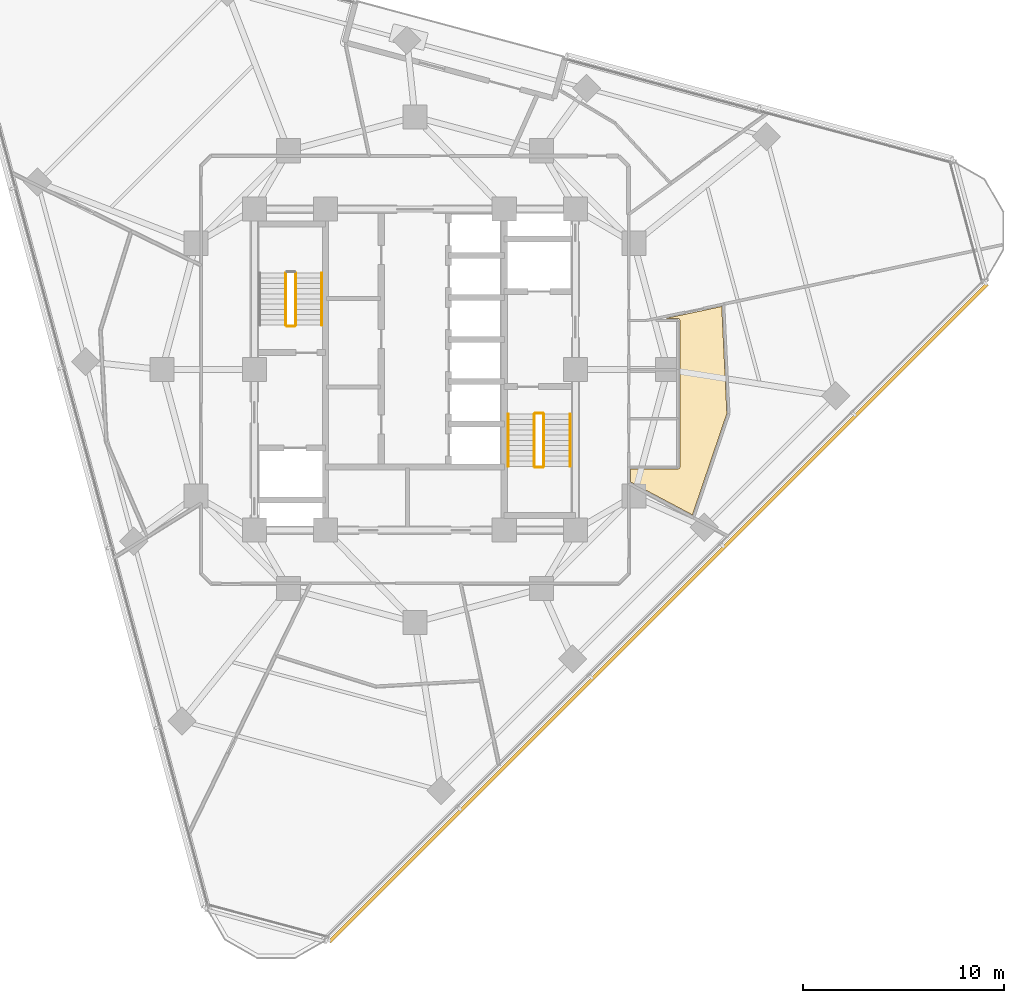
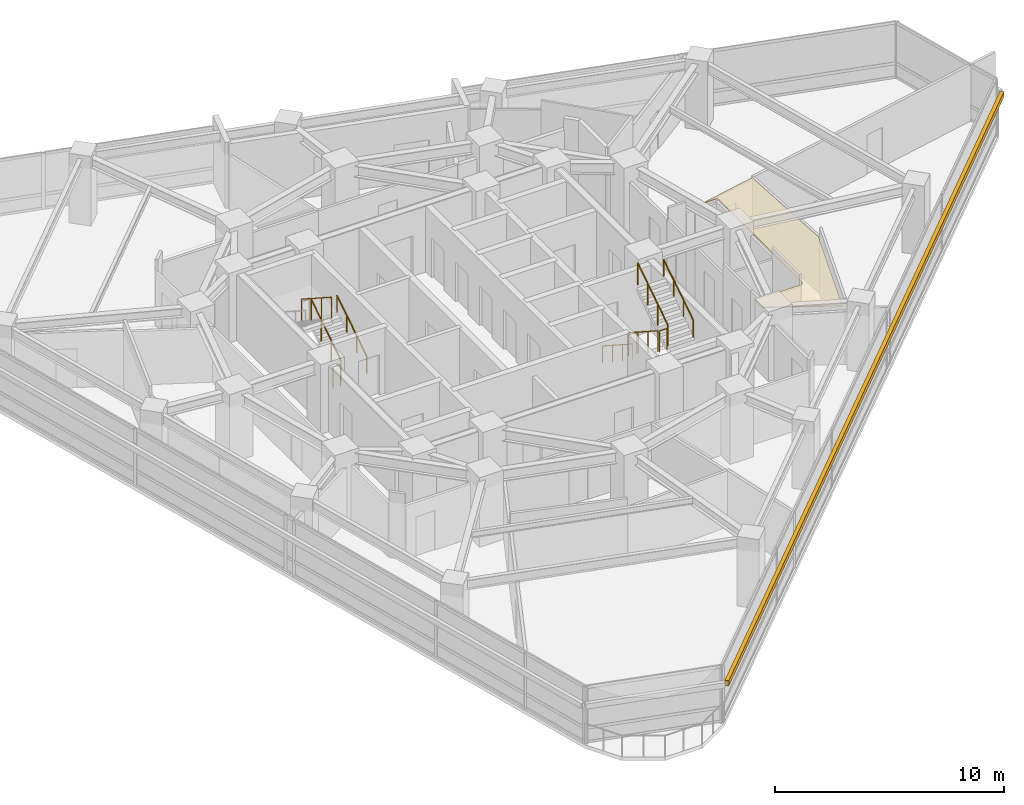
# One storey, part 12 of 14: 10 railings, 1 covering, 1 shading device.
"""IFC4 building model written with IfcOpenShell, lengths in metres."""

import ifcopenshell
import ifcopenshell.guid

model = None  # the IFC model being written
_history = None  # IfcOwnerHistory: only IFC2X3 demands one
_inside = {}  # id of a spatial element -> (the spatial element, [elements in it])
_under = {}  # id of a project, library or spatial element -> (it, [spatial elements below it])
_declared = {}  # id of a project -> (the project, [libraries it declares])
_typed = {}  # id of a type object -> (the type object, [elements of that type])
_made_of = {}  # id of a material, layer set ... -> (it, [elements and type objects made of it])


def new_model(schema):
    """Start an empty IFC model of exactly this schema.

    Asked for "IFC4X3", IfcOpenShell would pick the latest addendum, in which some entities
    have other attributes; the version numbers below select the first issue.
    IFC2X3 requires an IfcOwnerHistory on every rooted entity: one is made here for all.
    """
    global model, _history
    if schema == "IFC4X3":
        model = ifcopenshell.file(schema_version=(4, 3, 0, 0))
    else:
        model = ifcopenshell.file(schema=schema)
    _inside.clear()
    _under.clear()
    _declared.clear()
    _typed.clear()
    _made_of.clear()
    _history = None
    if model.schema == "IFC2X3":
        org = make("IfcOrganization", Name="unknown")
        user = make(
            "IfcPersonAndOrganization",
            ThePerson=make("IfcPerson", FamilyName="unknown"),
            TheOrganization=org,
        )
        app = make(
            "IfcApplication",
            ApplicationDeveloper=org,
            Version="unknown",
            ApplicationFullName="unknown",
            ApplicationIdentifier="unknown",
        )
        _history = make(
            "IfcOwnerHistory",
            OwningUser=user,
            OwningApplication=app,
            ChangeAction="ADDED",
            CreationDate=0,
        )
    return model


def make(cls, **values):
    """One entity of the class cls with the attributes given. An attribute that is None is left unset."""
    return model.create_entity(
        cls, **{name: value for name, value in values.items() if value is not None}
    )


def rooted(cls, **values):
    """An entity with a GlobalId (a new one), such as an element, a storey or a relation."""
    return make(cls, GlobalId=ifcopenshell.guid.new(), OwnerHistory=_history, **values)


def si_unit(unit_type, name, prefix=None):
    """IfcSIUnit, for example si_unit("LENGTHUNIT", "METRE", prefix="MILLI")."""
    return make("IfcSIUnit", UnitType=unit_type, Prefix=prefix, Name=name)


def assignment(units):
    """IfcUnitAssignment: the units of a project."""
    return None if units is None else make("IfcUnitAssignment", Units=units)


def point(xyz):
    """IfcCartesianPoint."""
    return None if xyz is None else make("IfcCartesianPoint", Coordinates=xyz)


def direction(xyz):
    """IfcDirection."""
    return None if xyz is None else make("IfcDirection", DirectionRatios=xyz)


def frame(location, z_axis=None, x_axis=None):
    """IfcAxis2Placement3D, a coordinate frame: its origin and axes. An axis left out is left unset."""
    return make(
        "IfcAxis2Placement3D",
        Location=point(location),
        Axis=direction(z_axis),
        RefDirection=direction(x_axis),
    )


def frame_2d(location, x_axis=None):
    """IfcAxis2Placement2D, a coordinate frame in the plane: its origin and x axis."""
    return make(
        "IfcAxis2Placement2D", Location=point(location), RefDirection=direction(x_axis)
    )


def origin():
    """The frame at (0, 0, 0) with its axes left unset."""
    return frame((0.0, 0.0, 0.0))


def origin_2d():
    """The frame at (0, 0) in the plane with its x axis left unset."""
    return frame_2d((0.0, 0.0))


def place(relative_to, where):
    """IfcLocalPlacement: puts the frame where relative to a parent placement (None: the world)."""
    return make(
        "IfcLocalPlacement", PlacementRelTo=relative_to, RelativePlacement=where
    )


def context(
    kind, dimensions, precision=None, world=None, true_north=None, identifier=None
):
    """IfcGeometricRepresentationContext, for example the 3D "Model" context."""
    return make(
        "IfcGeometricRepresentationContext",
        ContextIdentifier=identifier,
        ContextType=kind,
        CoordinateSpaceDimension=dimensions,
        Precision=precision,
        WorldCoordinateSystem=world,
        TrueNorth=true_north,
    )


def subcontext(parent, identifier, kind, view, scale=None):
    """IfcGeometricRepresentationSubContext, for example "Body" below "Model"."""
    return make(
        "IfcGeometricRepresentationSubContext",
        ContextIdentifier=identifier,
        ContextType=kind,
        ParentContext=parent,
        TargetScale=scale,
        TargetView=view,
    )


def project(units=None, contexts=None):
    """IfcProject with its units and contexts."""
    return rooted(
        "IfcProject",
        Name="project",
        RepresentationContexts=contexts,
        UnitsInContext=assignment(units),
    )


def spatial(cls, under=None, at=None, **own):
    """A site, building, storey or space (cls), placed at a placement, below another one or the project."""
    s = rooted(cls, ObjectPlacement=at, **own)
    if under is not None:
        _under.setdefault(under.id(), (under, []))[1].append(s)
    return s


def polyline(points):
    """IfcPolyline through the points."""
    return make("IfcPolyline", Points=[point(p) for p in points])


def profile(cls, at=None, kind="AREA", **sizes):
    """A parametric profile (cls). Its sizes go by their IFC names, for example OverallWidth=200.0."""
    return make(cls, ProfileType=kind, Position=at, **sizes)


def rectangle(**sizes):
    """IfcRectangleProfileDef."""
    return profile("IfcRectangleProfileDef", **sizes)


def circle(**sizes):
    """IfcCircleProfileDef."""
    return profile("IfcCircleProfileDef", **sizes)


def outline(outer, holes=None, kind="AREA"):
    """IfcArbitraryClosedProfileDef: a profile drawn as a closed curve; with holes, ...WithVoids."""
    if holes is None:
        return make("IfcArbitraryClosedProfileDef", ProfileType=kind, OuterCurve=outer)
    return make(
        "IfcArbitraryProfileDefWithVoids",
        ProfileType=kind,
        OuterCurve=outer,
        InnerCurves=holes,
    )


def extrude(swept, where, along, depth):
    """IfcExtrudedAreaSolid: the profile swept, set in the frame where, extruded along a direction by depth."""
    return make(
        "IfcExtrudedAreaSolid",
        SweptArea=swept,
        Position=where,
        ExtrudedDirection=direction(along),
        Depth=depth,
    )


def shape(context_of_items, identifier, shape_type, items):
    """IfcShapeRepresentation: the items that make up one representation, for example the "Body"."""
    return make(
        "IfcShapeRepresentation",
        ContextOfItems=context_of_items,
        RepresentationIdentifier=identifier,
        RepresentationType=shape_type,
        Items=items,
    )


def material(Name=None, Category=None):
    """IfcMaterial."""
    return make("IfcMaterial", Name=Name, Category=Category)


def layer(
    of_material, thickness, ventilated=None, Name=None, Category=None, Priority=None
):
    """IfcMaterialLayer: one layer of a wall or slab, of a material (None: an air gap)."""
    return make(
        "IfcMaterialLayer",
        Material=of_material,
        LayerThickness=thickness,
        IsVentilated=ventilated,
        Name=Name,
        Category=Category,
        Priority=Priority,
    )


def layer_set(layers, Name=None):
    """IfcMaterialLayerSet."""
    return make("IfcMaterialLayerSet", MaterialLayers=layers, LayerSetName=Name)


def made_of(thing, what):
    """Note that an element or type object is made of a material, layer set ...; save() writes the relation."""
    if what is not None:
        _made_of.setdefault(what.id(), (what, []))[1].append(thing)
    return thing


def type_object(cls, material=None, **own):
    """A type object (cls), such as IfcWallType, which elements share."""
    return made_of(rooted(cls, **own), material)


def element(
    cls,
    number,
    at=None,
    inside=None,
    cuts=None,
    type_object=None,
    material=None,
    context=None,
    identifier="Body",
    shape_type=None,
    held_by="IfcProductDefinitionShape",
    body=None,
    shapes=None,
    **own,
):
    """One element of the class cls, such as IfcWall. Its Tag is "e" and its number.

    at: its placement. inside: the storey or other place that contains it. cuts: it is an
    opening in that element (IfcRelVoidsElement). A single representation is given by context,
    identifier, shape_type and body (its items); several are given by shapes. held_by: the class
    of the entity that holds the representations. save() writes the other relations.
    """
    e = rooted(cls, Tag="e%d" % number, ObjectPlacement=at, **own)
    if body is not None:
        shapes = [shape(context, identifier, shape_type, body)]
    if shapes is not None:
        e.Representation = make(held_by, Representations=shapes)
    if inside is not None:
        _inside.setdefault(inside.id(), (inside, []))[1].append(e)
    if cuts is not None:
        rooted(
            "IfcRelVoidsElement", RelatingBuildingElement=cuts, RelatedOpeningElement=e
        )
    if type_object is not None:
        _typed.setdefault(type_object.id(), (type_object, []))[1].append(e)
    return made_of(e, material)


def aggregate(whole, parts):
    """IfcRelAggregates: a whole, such as a stair, and the parts it consists of."""
    return rooted("IfcRelAggregates", RelatingObject=whole, RelatedObjects=parts)


def save(model, path):
    """Write the relations noted so far, then the file.

    IfcRelAggregates (storeys below a building ...), IfcRelContainedInSpatialStructure (elements
    in a storey), IfcRelDefinesByType, IfcRelAssociatesMaterial and IfcRelDeclares: one each for
    every whole, place, type object, material and project.
    """
    for whole, parts in _under.values():
        aggregate(whole, parts)
    for where, things in _inside.values():
        rooted(
            "IfcRelContainedInSpatialStructure",
            RelatedElements=things,
            RelatingStructure=where,
        )
    for kind, things in _typed.values():
        rooted("IfcRelDefinesByType", RelatedObjects=things, RelatingType=kind)
    for what, things in _made_of.values():
        rooted("IfcRelAssociatesMaterial", RelatedObjects=things, RelatingMaterial=what)
    for by, libraries in _declared.values():
        rooted("IfcRelDeclares", RelatingContext=by, RelatedDefinitions=libraries)
    model.write(path)


model = new_model("IFC4")

# Units and contexts
model_context = context("Model", 3, precision=1e-05, world=origin(), true_north=direction((0.0, 1.0)))
body_context = subcontext(model_context, "Body", "Model", "MODEL_VIEW")
ifc_project = project(units=[si_unit("LENGTHUNIT", "METRE"), si_unit("AREAUNIT", "SQUARE_METRE"), si_unit("VOLUMEUNIT", "CUBIC_METRE"), si_unit("PLANEANGLEUNIT", "RADIAN"), si_unit("MASSUNIT", "GRAM", prefix="KILO")], contexts=[model_context])

# Site, building, storey
site_placement = place(None, origin())
site = spatial("IfcSite", under=ifc_project, at=site_placement, CompositionType="ELEMENT")
building_placement = place(site_placement, origin())
building = spatial("IfcBuilding", under=site, at=building_placement, Name="Terralouvre Media Tower", CompositionType="ELEMENT")
storey_placement = place(building_placement, frame((0.0, 0.0, 191.60009765625)))
storey = spatial("IfcBuildingStorey", under=building, at=storey_placement, Name="L49", CompositionType="ELEMENT", Elevation=191.60009765625)

# Covering
ifc_material_1 = material(Name="Perforated aluminium acoustic ceiling baffle", Category="aluminium")
ifc_layer_1 = layer(ifc_material_1, 0.0400390625, Name="Perforated Acoustic Metal Tile Ceiling CL-AC1")
ifc_layer_set_1 = layer_set([ifc_layer_1], Name="Perforated aluminium acoustic ceiling baffle")
covering_type = type_object("IfcCoveringType", Name="Perforated Acoustic Metal Tile Ceiling CL-AC1", PredefinedType="CEILING", material=ifc_layer_set_1)
covering_placement = place(storey_placement, frame((0.0, 0.0, 2.97998046875), z_axis=(0.0, 0.0, 1.0), x_axis=(0.707106781187, 0.707106781187, 0.0)))
element("IfcCovering", 1, at=covering_placement, inside=storey, type_object=covering_type, Name="L49 Artist Hospitality Kitchen 6 Acoustic Ceiling", PredefinedType="CEILING", context=body_context, shape_type="SweptSolid", body=[
    extrude(outline(polyline([(9.447265625, -12.537109375), (13.037109375, -8.585693359375), (10.6259765625, -7.019775390625), (11.066162109375, -7.4599609375), (11.07275390625, -7.46728515625), (11.07861328125, -7.47509765625), (11.083740234375, -7.483642578125), (11.087890625, -7.492431640625), (11.091064453125, -7.501708984375), (11.093505859375, -7.51123046875), (11.094970703125, -7.520751953125), (11.095458984375, -7.53076171875), (11.094970703125, -7.54052734375), (11.093505859375, -7.550048828125), (11.091064453125, -7.559814453125), (11.087890625, -7.56884765625), (11.083740234375, -7.577880859375), (11.07861328125, -7.586181640625), (11.07275390625, -7.593994140625), (11.066162109375, -7.601318359375), (5.904296875, -12.76318359375), (5.89697265625, -12.769775390625), (5.88916015625, -12.775634765625), (5.880859375, -12.78076171875), (5.871826171875, -12.784912109375), (5.86279296875, -12.788330078125), (5.85302734375, -12.79052734375), (5.843505859375, -12.7919921875), (5.833740234375, -12.79248046875), (5.82373046875, -12.7919921875), (5.814208984375, -12.79052734375), (5.8046875, -12.788330078125), (5.79541015625, -12.784912109375), (5.786376953125, -12.78076171875), (5.778076171875, -12.775634765625), (5.770263671875, -12.769775390625), (5.762939453125, -12.76318359375), (4.101318359375, -11.1015625), (3.6396484375, -11.563232421875), (4.65966796875, -14.897705078125), (9.447265625, -12.537109375)])), origin(), (0.0, 0.0, 1.0), 0.0400390625),
])

# Railings
ifc_material_2 = material(Name="Stainless steel 316 handrail and balustrade", Category="steel")
ifc_layer_2 = layer(ifc_material_2, 0.050048828125, Name="Stair Flight Wall Handrail HR-INT1")
ifc_layer_set_2 = layer_set([ifc_layer_2], Name="Stainless steel 316 handrail and balustrade")
railing_type_1 = type_object("IfcRailingType", Name="Stair Flight Wall Handrail HR-INT1", PredefinedType="HANDRAIL", material=ifc_layer_set_2)
railing_1_placement = place(storey_placement, frame((-4.64990234375, 2.219970703125, 0.16796875)))
element("IfcRailing", 2, at=railing_1_placement, inside=storey, type_object=railing_type_1, Name="L49 ST-01 stair handrail 1", PredefinedType="HANDRAIL", context=body_context, shape_type="SweptSolid", body=[
    extrude(circle(Radius=0.02392578125, at=origin_2d()), frame((0.0, 0.0, 0.8759765625), z_axis=(0.0, 0.839648411786, 0.543130320075), x_axis=(-1.0, 0.0, 0.0)), (0.0, 0.0, 1.0), 3.0966796875),
    extrude(circle(Radius=0.02099609375, at=origin_2d()), origin(), (0.0, 0.0, 1.0), 0.851806640625),
    extrude(circle(Radius=0.02099609375, at=origin_2d()), frame((0.0, 0.86669921875, 0.560546875)), (0.0, 0.0, 1.0), 0.851806640625),
    extrude(circle(Radius=0.02099609375, at=origin_2d()), frame((0.0, 1.7333984375, 1.121337890625)), (0.0, 0.0, 1.0), 0.851806640625),
    extrude(circle(Radius=0.02099609375, at=origin_2d()), frame((0.0, 2.60009765625, 1.681884765625)), (0.0, 0.0, 1.0), 0.851806640625),
])
railing_2_placement = place(storey_placement, frame((4.64990234375, -2.219970703125, 0.16796875)))
element("IfcRailing", 3, at=railing_2_placement, inside=storey, type_object=railing_type_1, Name="L49 ST-02 stair handrail 1", PredefinedType="HANDRAIL", context=body_context, shape_type="SweptSolid", body=[
    extrude(circle(Radius=0.02392578125, at=origin_2d()), frame((0.0, 0.0, 0.8759765625), z_axis=(0.0, -0.839648411786, 0.543130320075), x_axis=(1.0, 0.0, 0.0)), (0.0, 0.0, 1.0), 3.0966796875),
    extrude(circle(Radius=0.02099609375, at=origin_2d()), origin(), (0.0, 0.0, 1.0), 0.851806640625),
    extrude(circle(Radius=0.02099609375, at=origin_2d()), frame((0.0, -0.86669921875, 0.560546875)), (0.0, 0.0, 1.0), 0.851806640625),
    extrude(circle(Radius=0.02099609375, at=origin_2d()), frame((0.0, -1.7333984375, 1.121337890625)), (0.0, 0.0, 1.0), 0.851806640625),
    extrude(circle(Radius=0.02099609375, at=origin_2d()), frame((0.0, -2.60009765625, 1.681884765625)), (0.0, 0.0, 1.0), 0.851806640625),
])
railing_3_placement = place(storey_placement, frame((7.72998046875, -4.820068359375, 2.01806640625)))
element("IfcRailing", 4, at=railing_3_placement, inside=storey, type_object=railing_type_1, Name="L49 ST-02 stair handrail 2", PredefinedType="HANDRAIL", context=body_context, shape_type="SweptSolid", body=[
    extrude(circle(Radius=0.02392578125, at=origin_2d()), frame((0.0, 0.0, 0.8759765625), z_axis=(0.0, 0.839648411786, 0.543130320075), x_axis=(-1.0, 0.0, 0.0)), (0.0, 0.0, 1.0), 3.0966796875),
    extrude(circle(Radius=0.02099609375, at=origin_2d()), origin(), (0.0, 0.0, 1.0), 0.851806640625),
    extrude(circle(Radius=0.02099609375, at=origin_2d()), frame((0.0, 0.86669921875, 0.560546875)), (0.0, 0.0, 1.0), 0.851806640625),
    extrude(circle(Radius=0.02099609375, at=origin_2d()), frame((0.0, 1.7333984375, 1.121337890625)), (0.0, 0.0, 1.0), 0.851806640625),
    extrude(circle(Radius=0.02099609375, at=origin_2d()), frame((0.0, 2.60009765625, 1.681884765625)), (0.0, 0.0, 1.0), 0.851806640625),
])
ifc_material_3 = material(Name="Stainless steel 316 handrail and balustrade", Category="steel")
ifc_layer_3 = layer(ifc_material_3, 0.050048828125, Name="Stairwell Safety Guardrail GR-INT1")
ifc_layer_set_3 = layer_set([ifc_layer_3], Name="Stainless steel 316 handrail and balustrade")
railing_type_2 = type_object("IfcRailingType", Name="Stairwell Safety Guardrail GR-INT1", PredefinedType="GUARDRAIL", material=ifc_layer_set_3)
railing_4_placement = place(storey_placement, frame((-5.949951171875, 2.219970703125, 0.16796875)))
element("IfcRailing", 5, at=railing_4_placement, inside=storey, type_object=railing_type_2, Name="L49 ST-01 stair guard 1", PredefinedType="GUARDRAIL", context=body_context, shape_type="SweptSolid", body=[
    extrude(circle(Radius=0.02392578125, at=origin_2d()), frame((0.0, 0.0, 1.1259765625), z_axis=(0.0, 0.839648411786, 0.543130320075), x_axis=(-1.0, 0.0, 0.0)), (0.0, 0.0, 1.0), 3.0966796875),
    extrude(circle(Radius=0.02099609375, at=origin_2d()), origin(), (0.0, 0.0, 1.0), 1.101806640625),
    extrude(circle(Radius=0.02099609375, at=origin_2d()), frame((0.0, 0.86669921875, 0.560546875)), (0.0, 0.0, 1.0), 1.101806640625),
    extrude(circle(Radius=0.02099609375, at=origin_2d()), frame((0.0, 1.7333984375, 1.121337890625)), (0.0, 0.0, 1.0), 1.101806640625),
    extrude(circle(Radius=0.02099609375, at=origin_2d()), frame((0.0, 2.60009765625, 1.681884765625)), (0.0, 0.0, 1.0), 1.101806640625),
])
railing_5_placement = place(storey_placement, frame((-6.429931640625, 4.820068359375, 2.01806640625)))
element("IfcRailing", 6, at=railing_5_placement, inside=storey, type_object=railing_type_2, Name="L49 ST-01 stair guard 3", PredefinedType="GUARDRAIL", context=body_context, shape_type="SweptSolid", body=[
    extrude(circle(Radius=0.02392578125, at=origin_2d()), frame((0.0, 0.0, 1.1259765625), z_axis=(0.0, -0.839648411786, 0.543130320075), x_axis=(1.0, 0.0, 0.0)), (0.0, 0.0, 1.0), 3.0966796875),
    extrude(circle(Radius=0.02099609375, at=origin_2d()), origin(), (0.0, 0.0, 1.0), 1.101806640625),
    extrude(circle(Radius=0.02099609375, at=origin_2d()), frame((0.0, -0.86669921875, 0.560546875)), (0.0, 0.0, 1.0), 1.101806640625),
    extrude(circle(Radius=0.02099609375, at=origin_2d()), frame((0.0, -1.7333984375, 1.121337890625)), (0.0, 0.0, 1.0), 1.101806640625),
    extrude(circle(Radius=0.02099609375, at=origin_2d()), frame((0.0, -2.60009765625, 1.681884765625)), (0.0, 0.0, 1.0), 1.101806640625),
])
railing_6_placement = place(storey_placement, frame((-6.0, 2.169921875, 0.0)))
element("IfcRailing", 7, at=railing_6_placement, inside=storey, type_object=railing_type_2, Name="L49 ST-01 stair guard 4", PredefinedType="GUARDRAIL", context=body_context, shape_type="SweptSolid", body=[
    extrude(circle(Radius=0.02392578125, at=origin_2d()), frame((0.0, 0.0, 1.1259765625), z_axis=(-1.0, 0.0, 0.0), x_axis=(0.0, -1.0, 0.0)), (0.0, 0.0, 1.0), 0.3798828125),
    extrude(circle(Radius=0.02099609375, at=origin_2d()), origin(), (0.0, 0.0, 1.0), 1.101806640625),
    extrude(circle(Radius=0.02099609375, at=origin_2d()), frame((-0.3798828125, 0.0, 0.0)), (0.0, 0.0, 1.0), 1.101806640625),
])
railing_7_placement = place(storey_placement, frame((5.949951171875, -2.219970703125, 0.16796875)))
element("IfcRailing", 8, at=railing_7_placement, inside=storey, type_object=railing_type_2, Name="L49 ST-02 stair guard 1", PredefinedType="GUARDRAIL", context=body_context, shape_type="SweptSolid", body=[
    extrude(circle(Radius=0.02392578125, at=origin_2d()), frame((0.0, 0.0, 1.1259765625), z_axis=(0.0, -0.839648411786, 0.543130320075), x_axis=(1.0, 0.0, 0.0)), (0.0, 0.0, 1.0), 3.0966796875),
    extrude(circle(Radius=0.02099609375, at=origin_2d()), origin(), (0.0, 0.0, 1.0), 1.101806640625),
    extrude(circle(Radius=0.02099609375, at=origin_2d()), frame((0.0, -0.86669921875, 0.560546875)), (0.0, 0.0, 1.0), 1.101806640625),
    extrude(circle(Radius=0.02099609375, at=origin_2d()), frame((0.0, -1.7333984375, 1.121337890625)), (0.0, 0.0, 1.0), 1.101806640625),
    extrude(circle(Radius=0.02099609375, at=origin_2d()), frame((0.0, -2.60009765625, 1.681884765625)), (0.0, 0.0, 1.0), 1.101806640625),
])
railing_8_placement = place(storey_placement, frame((6.0, -4.8701171875, 1.849853515625)))
element("IfcRailing", 9, at=railing_8_placement, inside=storey, type_object=railing_type_2, Name="L49 ST-02 stair guard 2", PredefinedType="GUARDRAIL", context=body_context, shape_type="SweptSolid", body=[
    extrude(circle(Radius=0.02392578125, at=origin_2d()), frame((0.0, 0.0, 1.1259765625), z_axis=(1.0, 0.0, 0.0), x_axis=(0.0, 1.0, 0.0)), (0.0, 0.0, 1.0), 0.3798828125),
    extrude(circle(Radius=0.02099609375, at=origin_2d()), origin(), (0.0, 0.0, 1.0), 1.101806640625),
    extrude(circle(Radius=0.02099609375, at=origin_2d()), frame((0.3798828125, 0.0, 0.0)), (0.0, 0.0, 1.0), 1.101806640625),
])
railing_9_placement = place(storey_placement, frame((6.429931640625, -4.820068359375, 2.01806640625)))
element("IfcRailing", 10, at=railing_9_placement, inside=storey, type_object=railing_type_2, Name="L49 ST-02 stair guard 3", PredefinedType="GUARDRAIL", context=body_context, shape_type="SweptSolid", body=[
    extrude(circle(Radius=0.02392578125, at=origin_2d()), frame((0.0, 0.0, 1.1259765625), z_axis=(0.0, 0.839648411786, 0.543130320075), x_axis=(-1.0, 0.0, 0.0)), (0.0, 0.0, 1.0), 3.0966796875),
    extrude(circle(Radius=0.02099609375, at=origin_2d()), origin(), (0.0, 0.0, 1.0), 1.101806640625),
    extrude(circle(Radius=0.02099609375, at=origin_2d()), frame((0.0, 0.86669921875, 0.560546875)), (0.0, 0.0, 1.0), 1.101806640625),
    extrude(circle(Radius=0.02099609375, at=origin_2d()), frame((0.0, 1.7333984375, 1.121337890625)), (0.0, 0.0, 1.0), 1.101806640625),
    extrude(circle(Radius=0.02099609375, at=origin_2d()), frame((0.0, 2.60009765625, 1.681884765625)), (0.0, 0.0, 1.0), 1.101806640625),
])
railing_10_placement = place(storey_placement, frame((6.0, -2.169921875, 0.0)))
element("IfcRailing", 11, at=railing_10_placement, inside=storey, type_object=railing_type_2, Name="L49 ST-02 stair guard 4", PredefinedType="GUARDRAIL", context=body_context, shape_type="SweptSolid", body=[
    extrude(circle(Radius=0.02392578125, at=origin_2d()), frame((0.0, 0.0, 1.1259765625), z_axis=(1.0, 0.0, 0.0), x_axis=(0.0, 1.0, 0.0)), (0.0, 0.0, 1.0), 0.3798828125),
    extrude(circle(Radius=0.02099609375, at=origin_2d()), origin(), (0.0, 0.0, 1.0), 1.101806640625),
    extrude(circle(Radius=0.02099609375, at=origin_2d()), frame((0.3798828125, 0.0, 0.0)), (0.0, 0.0, 1.0), 1.101806640625),
])

# Shading device
ifc_material_4 = material(Name="Extruded terracotta baguette sunshade louvres", Category="masonry")
shading_device_type = type_object("IfcShadingDeviceType", Name="Terracotta Baguette Sunshade Louvre Screen TB-LV1", PredefinedType="USERDEFINED", material=ifc_material_4)
shading_device_placement = place(storey_placement, frame((12.121826171875, -12.121826171875, 2.02392578125), z_axis=(0.0, 0.0, 1.0), x_axis=(0.707106781187, 0.707106781187, 0.0)))
element("IfcShadingDevice", 12, at=shading_device_placement, inside=storey, type_object=shading_device_type, Name="CW-L49-F0 Terracotta Baguette Sunshade Louvre", ObjectType="BAGUETTE", PredefinedType="USERDEFINED", context=body_context, shape_type="SweptSolid", body=[
    extrude(rectangle(XDim=46.360107421875, YDim=0.179931640625, at=origin_2d()), origin(), (0.0, 0.0, 1.0), 0.280029296875),
])

save(model, "model.ifc")
